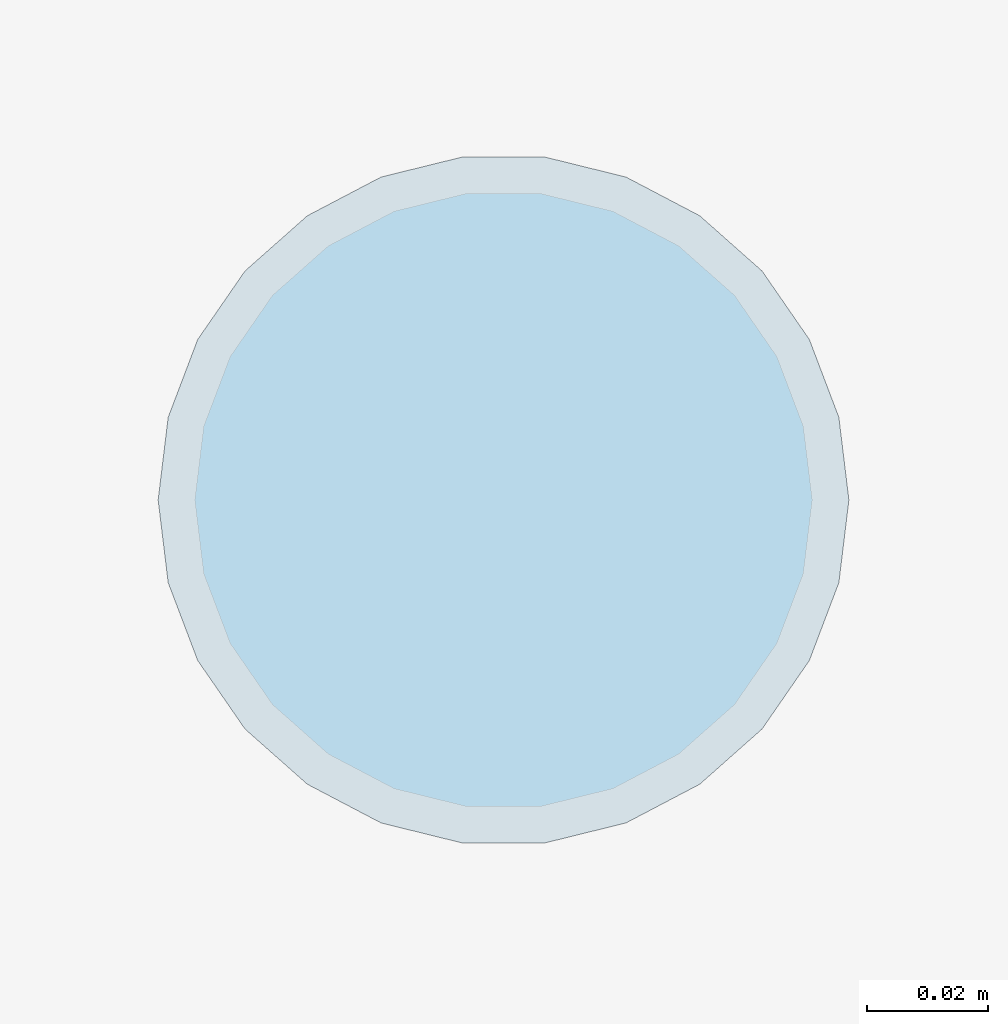
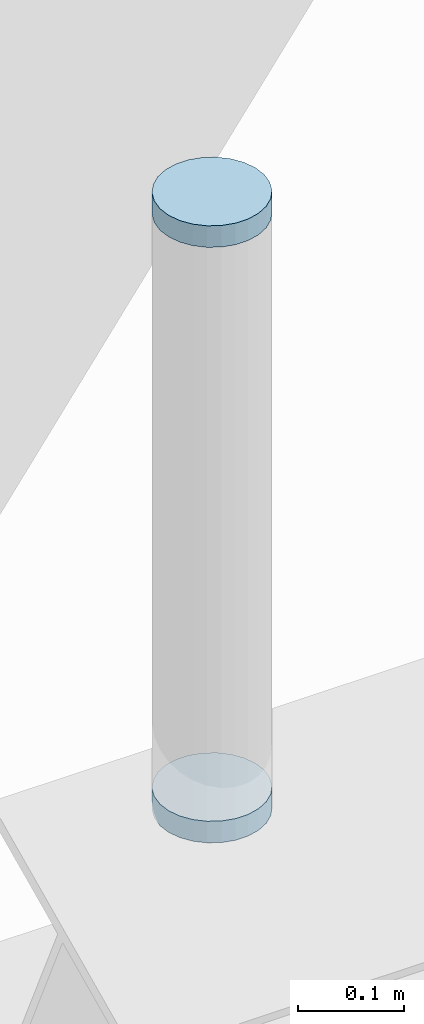
# One storey, part 24 of 31: 2 plates.
"""IFC4 building model written with IfcOpenShell, lengths in metres."""

from ifc_helpers import new_model, si_unit, direction, frame, origin, origin_2d, place, context, subcontext, project, spatial, circle, extrude, material, layer, layer_set, type_object, element, save


model = new_model("IFC4")

# Units and contexts
model_context = context("Model", 3, precision=1e-05, world=origin(), true_north=direction((0.0, 1.0)))
body_context = subcontext(model_context, "Body", "Model", "MODEL_VIEW")
ifc_project = project(units=[si_unit("LENGTHUNIT", "METRE"), si_unit("AREAUNIT", "SQUARE_METRE"), si_unit("VOLUMEUNIT", "CUBIC_METRE"), si_unit("PLANEANGLEUNIT", "RADIAN"), si_unit("MASSUNIT", "GRAM", prefix="KILO")], contexts=[model_context])

# Site, building, storey
site_placement = place(None, origin())
site = spatial("IfcSite", under=ifc_project, at=site_placement, CompositionType="ELEMENT")
building_placement = place(site_placement, origin())
building = spatial("IfcBuilding", under=site, at=building_placement, Name="Tessera Arch", CompositionType="ELEMENT")
storey_placement = place(building_placement, frame((0.0, 0.0, 320.699951171875)))
storey = spatial("IfcBuildingStorey", under=building, at=storey_placement, Name="L77", CompositionType="ELEMENT", Elevation=320.699951171875)

# Plates
ifc_material = material(Name="Steel A572 Gr50", Category="steel")
ifc_layer = layer(ifc_material, 0.02490234375)
ifc_layer_set = layer_set([ifc_layer], Name="End plate CHS114x6")
plate_type = type_object("IfcPlateType", Name="End plate CHS114x6", PredefinedType="SHEET", material=ifc_layer_set)
for number, where, z_axis, x_axis, name in (
    (1, (18.5, 53.647705078125, 23.014892578125), (0.0, 0.0, 1.0), (1.0, 0.0, 0.0), "End plate Aviation obstruction light 1 mast 1"),
    (2, (18.5, 53.647705078125, 23.703125), (0.0, 0.0, 1.0), (1.0, 0.0, 0.0), "End plate Aviation obstruction light 1 mast 2"),
):
    element("IfcPlate", number, at=place(storey_placement, frame(where, z_axis=z_axis, x_axis=x_axis)), inside=storey, type_object=plate_type, Name=name, PredefinedType="SHEET", context=body_context, shape_type="SweptSolid", body=[
        extrude(circle(Radius=0.056884765625, at=origin_2d()), origin(), (0.0, 0.0, 1.0), 0.02490234375),
    ])

save(model, "model.ifc")
